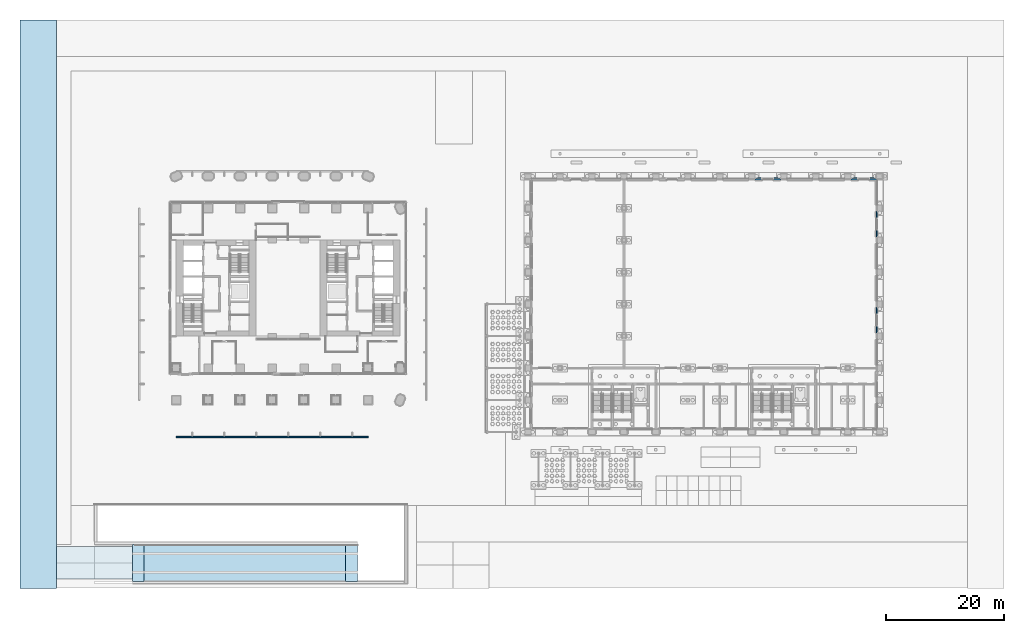
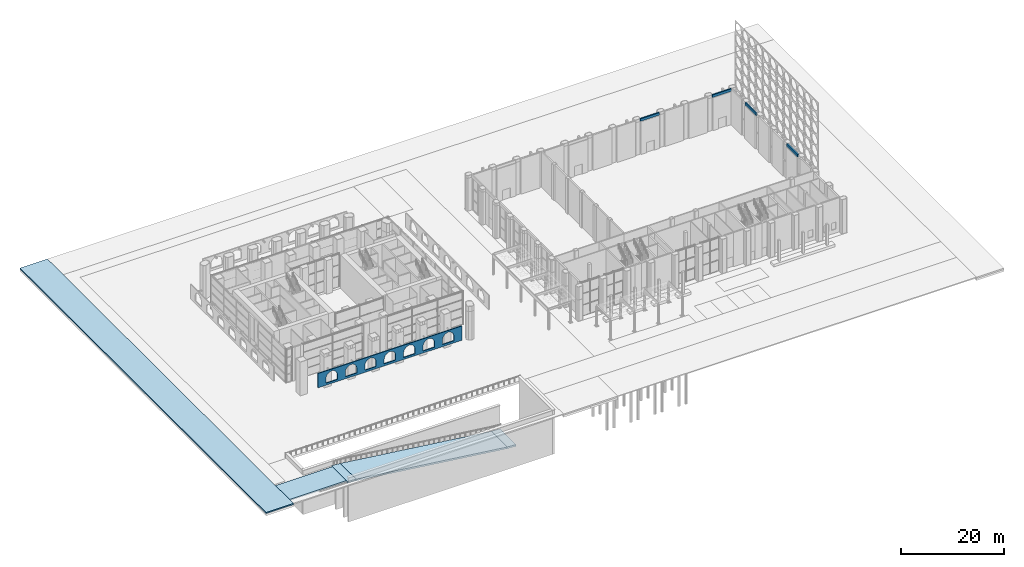
# One storey, part 17 of 54: 5 slabs, 4 beams, 1 plate.
"""IFC4 building model written with IfcOpenShell, lengths in metres."""

import ifcopenshell
import ifcopenshell.guid

model = None  # the IFC model being written
_history = None  # IfcOwnerHistory: only IFC2X3 demands one
_inside = {}  # id of a spatial element -> (the spatial element, [elements in it])
_under = {}  # id of a project, library or spatial element -> (it, [spatial elements below it])
_declared = {}  # id of a project -> (the project, [libraries it declares])
_typed = {}  # id of a type object -> (the type object, [elements of that type])
_made_of = {}  # id of a material, layer set ... -> (it, [elements and type objects made of it])


def new_model(schema):
    """Start an empty IFC model of exactly this schema.

    Asked for "IFC4X3", IfcOpenShell would pick the latest addendum, in which some entities
    have other attributes; the version numbers below select the first issue.
    IFC2X3 requires an IfcOwnerHistory on every rooted entity: one is made here for all.
    """
    global model, _history
    if schema == "IFC4X3":
        model = ifcopenshell.file(schema_version=(4, 3, 0, 0))
    else:
        model = ifcopenshell.file(schema=schema)
    _inside.clear()
    _under.clear()
    _declared.clear()
    _typed.clear()
    _made_of.clear()
    _history = None
    if model.schema == "IFC2X3":
        org = make("IfcOrganization", Name="unknown")
        user = make(
            "IfcPersonAndOrganization",
            ThePerson=make("IfcPerson", FamilyName="unknown"),
            TheOrganization=org,
        )
        app = make(
            "IfcApplication",
            ApplicationDeveloper=org,
            Version="unknown",
            ApplicationFullName="unknown",
            ApplicationIdentifier="unknown",
        )
        _history = make(
            "IfcOwnerHistory",
            OwningUser=user,
            OwningApplication=app,
            ChangeAction="ADDED",
            CreationDate=0,
        )
    return model


def make(cls, **values):
    """One entity of the class cls with the attributes given. An attribute that is None is left unset."""
    return model.create_entity(
        cls, **{name: value for name, value in values.items() if value is not None}
    )


def rooted(cls, **values):
    """An entity with a GlobalId (a new one), such as an element, a storey or a relation."""
    return make(cls, GlobalId=ifcopenshell.guid.new(), OwnerHistory=_history, **values)


def si_unit(unit_type, name, prefix=None):
    """IfcSIUnit, for example si_unit("LENGTHUNIT", "METRE", prefix="MILLI")."""
    return make("IfcSIUnit", UnitType=unit_type, Prefix=prefix, Name=name)


def assignment(units):
    """IfcUnitAssignment: the units of a project."""
    return None if units is None else make("IfcUnitAssignment", Units=units)


def point(xyz):
    """IfcCartesianPoint."""
    return None if xyz is None else make("IfcCartesianPoint", Coordinates=xyz)


def direction(xyz):
    """IfcDirection."""
    return None if xyz is None else make("IfcDirection", DirectionRatios=xyz)


def frame(location, z_axis=None, x_axis=None):
    """IfcAxis2Placement3D, a coordinate frame: its origin and axes. An axis left out is left unset."""
    return make(
        "IfcAxis2Placement3D",
        Location=point(location),
        Axis=direction(z_axis),
        RefDirection=direction(x_axis),
    )


def frame_2d(location, x_axis=None):
    """IfcAxis2Placement2D, a coordinate frame in the plane: its origin and x axis."""
    return make(
        "IfcAxis2Placement2D", Location=point(location), RefDirection=direction(x_axis)
    )


def origin():
    """The frame at (0, 0, 0) with its axes left unset."""
    return frame((0.0, 0.0, 0.0))


def origin_2d():
    """The frame at (0, 0) in the plane with its x axis left unset."""
    return frame_2d((0.0, 0.0))


def place(relative_to, where):
    """IfcLocalPlacement: puts the frame where relative to a parent placement (None: the world)."""
    return make(
        "IfcLocalPlacement", PlacementRelTo=relative_to, RelativePlacement=where
    )


def context(
    kind, dimensions, precision=None, world=None, true_north=None, identifier=None
):
    """IfcGeometricRepresentationContext, for example the 3D "Model" context."""
    return make(
        "IfcGeometricRepresentationContext",
        ContextIdentifier=identifier,
        ContextType=kind,
        CoordinateSpaceDimension=dimensions,
        Precision=precision,
        WorldCoordinateSystem=world,
        TrueNorth=true_north,
    )


def subcontext(parent, identifier, kind, view, scale=None):
    """IfcGeometricRepresentationSubContext, for example "Body" below "Model"."""
    return make(
        "IfcGeometricRepresentationSubContext",
        ContextIdentifier=identifier,
        ContextType=kind,
        ParentContext=parent,
        TargetScale=scale,
        TargetView=view,
    )


def project(units=None, contexts=None):
    """IfcProject with its units and contexts."""
    return rooted(
        "IfcProject",
        Name="project",
        RepresentationContexts=contexts,
        UnitsInContext=assignment(units),
    )


def spatial(cls, under=None, at=None, **own):
    """A site, building, storey or space (cls), placed at a placement, below another one or the project."""
    s = rooted(cls, ObjectPlacement=at, **own)
    if under is not None:
        _under.setdefault(under.id(), (under, []))[1].append(s)
    return s


def polyline(points):
    """IfcPolyline through the points."""
    return make("IfcPolyline", Points=[point(p) for p in points])


def profile(cls, at=None, kind="AREA", **sizes):
    """A parametric profile (cls). Its sizes go by their IFC names, for example OverallWidth=200.0."""
    return make(cls, ProfileType=kind, Position=at, **sizes)


def rectangle(**sizes):
    """IfcRectangleProfileDef."""
    return profile("IfcRectangleProfileDef", **sizes)


def outline(outer, holes=None, kind="AREA"):
    """IfcArbitraryClosedProfileDef: a profile drawn as a closed curve; with holes, ...WithVoids."""
    if holes is None:
        return make("IfcArbitraryClosedProfileDef", ProfileType=kind, OuterCurve=outer)
    return make(
        "IfcArbitraryProfileDefWithVoids",
        ProfileType=kind,
        OuterCurve=outer,
        InnerCurves=holes,
    )


def extrude(swept, where, along, depth):
    """IfcExtrudedAreaSolid: the profile swept, set in the frame where, extruded along a direction by depth."""
    return make(
        "IfcExtrudedAreaSolid",
        SweptArea=swept,
        Position=where,
        ExtrudedDirection=direction(along),
        Depth=depth,
    )


def shape(context_of_items, identifier, shape_type, items):
    """IfcShapeRepresentation: the items that make up one representation, for example the "Body"."""
    return make(
        "IfcShapeRepresentation",
        ContextOfItems=context_of_items,
        RepresentationIdentifier=identifier,
        RepresentationType=shape_type,
        Items=items,
    )


def material(Name=None, Category=None):
    """IfcMaterial."""
    return make("IfcMaterial", Name=Name, Category=Category)


def layer(
    of_material, thickness, ventilated=None, Name=None, Category=None, Priority=None
):
    """IfcMaterialLayer: one layer of a wall or slab, of a material (None: an air gap)."""
    return make(
        "IfcMaterialLayer",
        Material=of_material,
        LayerThickness=thickness,
        IsVentilated=ventilated,
        Name=Name,
        Category=Category,
        Priority=Priority,
    )


def layer_set(layers, Name=None):
    """IfcMaterialLayerSet."""
    return make("IfcMaterialLayerSet", MaterialLayers=layers, LayerSetName=Name)


def material_profile(
    of_material, cross_section, Name=None, Category=None, Priority=None
):
    """IfcMaterialProfile: a cross section and its material."""
    return make(
        "IfcMaterialProfile",
        Name=Name,
        Material=of_material,
        Profile=cross_section,
        Priority=Priority,
        Category=Category,
    )


def profile_set(profiles, Name=None, composite=None):
    """IfcMaterialProfileSet."""
    return make(
        "IfcMaterialProfileSet",
        Name=Name,
        MaterialProfiles=profiles,
        CompositeProfile=composite,
    )


def made_of(thing, what):
    """Note that an element or type object is made of a material, layer set ...; save() writes the relation."""
    if what is not None:
        _made_of.setdefault(what.id(), (what, []))[1].append(thing)
    return thing


def type_object(cls, material=None, **own):
    """A type object (cls), such as IfcWallType, which elements share."""
    return made_of(rooted(cls, **own), material)


def element(
    cls,
    number,
    at=None,
    inside=None,
    cuts=None,
    type_object=None,
    material=None,
    context=None,
    identifier="Body",
    shape_type=None,
    held_by="IfcProductDefinitionShape",
    body=None,
    shapes=None,
    **own,
):
    """One element of the class cls, such as IfcWall. Its Tag is "e" and its number.

    at: its placement. inside: the storey or other place that contains it. cuts: it is an
    opening in that element (IfcRelVoidsElement). A single representation is given by context,
    identifier, shape_type and body (its items); several are given by shapes. held_by: the class
    of the entity that holds the representations. save() writes the other relations.
    """
    e = rooted(cls, Tag="e%d" % number, ObjectPlacement=at, **own)
    if body is not None:
        shapes = [shape(context, identifier, shape_type, body)]
    if shapes is not None:
        e.Representation = make(held_by, Representations=shapes)
    if inside is not None:
        _inside.setdefault(inside.id(), (inside, []))[1].append(e)
    if cuts is not None:
        rooted(
            "IfcRelVoidsElement", RelatingBuildingElement=cuts, RelatedOpeningElement=e
        )
    if type_object is not None:
        _typed.setdefault(type_object.id(), (type_object, []))[1].append(e)
    return made_of(e, material)


def aggregate(whole, parts):
    """IfcRelAggregates: a whole, such as a stair, and the parts it consists of."""
    return rooted("IfcRelAggregates", RelatingObject=whole, RelatedObjects=parts)


def save(model, path):
    """Write the relations noted so far, then the file.

    IfcRelAggregates (storeys below a building ...), IfcRelContainedInSpatialStructure (elements
    in a storey), IfcRelDefinesByType, IfcRelAssociatesMaterial and IfcRelDeclares: one each for
    every whole, place, type object, material and project.
    """
    for whole, parts in _under.values():
        aggregate(whole, parts)
    for where, things in _inside.values():
        rooted(
            "IfcRelContainedInSpatialStructure",
            RelatedElements=things,
            RelatingStructure=where,
        )
    for kind, things in _typed.values():
        rooted("IfcRelDefinesByType", RelatedObjects=things, RelatingType=kind)
    for what, things in _made_of.values():
        rooted("IfcRelAssociatesMaterial", RelatedObjects=things, RelatingMaterial=what)
    for by, libraries in _declared.values():
        rooted("IfcRelDeclares", RelatingContext=by, RelatedDefinitions=libraries)
    model.write(path)


model = new_model("IFC4")

# Units and contexts
model_context = context("Model", 3, precision=1e-05, world=origin(), true_north=direction((0.0, 1.0)))
body_context = subcontext(model_context, "Body", "Model", "MODEL_VIEW")
ifc_project = project(units=[si_unit("LENGTHUNIT", "METRE"), si_unit("AREAUNIT", "SQUARE_METRE"), si_unit("VOLUMEUNIT", "CUBIC_METRE"), si_unit("PLANEANGLEUNIT", "RADIAN"), si_unit("MASSUNIT", "GRAM", prefix="KILO")], contexts=[model_context])

# Site, building, storey
site_placement = place(None, origin())
site = spatial("IfcSite", under=ifc_project, at=site_placement, CompositionType="ELEMENT")
building_placement = place(site_placement, origin())
building = spatial("IfcBuilding", under=site, at=building_placement, Name="Tabaq Tower and Sports Hall", CompositionType="ELEMENT")
storey_placement = place(building_placement, origin())
storey = spatial("IfcBuildingStorey", under=building, at=storey_placement, Name="L00", CompositionType="ELEMENT", Elevation=0.0)

# Beams
ifc_material_1 = material(Name="Concrete C50/60", Category="concrete")
ifc_material_profile = material_profile(ifc_material_1, rectangle(XDim=0.300048828125, YDim=0.60009765625, at=origin_2d()), Name="RC 300x600")
ifc_profile_set = profile_set([ifc_material_profile], Name="Concrete C50/60")
beam_type = type_object("IfcBeamType", Name="HALL SPANDREL BEAM RC 300x600", PredefinedType="BEAM", material=ifc_profile_set)
beam_1_placement = place(storey_placement, frame((103.14990234375, 42.75, 8.10009765625), z_axis=(1.0, 0.0, 0.0), x_axis=(0.0, 1.0, 0.0)))
element("IfcBeam", 1, at=beam_1_placement, inside=storey, type_object=beam_type, Name="Spandrel beam N07", PredefinedType="BEAM", context=body_context, shape_type="SweptSolid", body=[
    extrude(rectangle(XDim=0.300048828125, YDim=0.60009765625, at=origin_2d()), origin(), (0.0, 0.0, 1.0), 4.300048828125),
])
beam_2_placement = place(storey_placement, frame((119.35009765625, 42.75, 8.10009765625), z_axis=(1.0, 0.0, 0.0), x_axis=(0.0, 1.0, 0.0)))
element("IfcBeam", 2, at=beam_2_placement, inside=storey, type_object=beam_type, Name="Spandrel beam N10", PredefinedType="BEAM", context=body_context, shape_type="SweptSolid", body=[
    extrude(rectangle(XDim=0.300048828125, YDim=0.60009765625, at=origin_2d()), origin(), (0.0, 0.0, 1.0), 4.2998046875),
])
for number, where, z_axis, x_axis, name in (
    (3, (123.75, 16.75, 8.10009765625), (0.0, 1.0, 0.0), (-1.0, 0.0, 0.0), "Spandrel beam E03"),
    (4, (123.75, 32.949951171875, 8.10009765625), (0.0, 1.0, 0.0), (-1.0, 0.0, 0.0), "Spandrel beam E06"),
):
    element("IfcBeam", number, at=place(storey_placement, frame(where, z_axis=z_axis, x_axis=x_axis)), inside=storey, type_object=beam_type, Name=name, PredefinedType="BEAM", context=body_context, shape_type="SweptSolid", body=[
        extrude(rectangle(XDim=0.300048828125, YDim=0.60009765625, at=origin_2d()), origin(), (0.0, 0.0, 1.0), 4.300048828125),
    ])

# Slabs
ifc_material_2 = material(Name="Asphalt wearing course on crushed limestone base", Category="masonry")
ifc_layer_1 = layer(ifc_material_2, 0.300048828125)
ifc_layer_set_1 = layer_set([ifc_layer_1], Name="ASPHALT ROAD 300")
slab_type_1 = type_object("IfcSlabType", Name="ASPHALT ROAD 300", PredefinedType="USERDEFINED", material=ifc_layer_set_1)
slab_1_placement = place(storey_placement, frame((0.0, 0.0, -0.300048828125)))
element("IfcSlab", 5, at=slab_1_placement, inside=storey, type_object=slab_type_1, Name="West Street (fire appliance access)", ObjectType="PAVING", PredefinedType="USERDEFINED", context=body_context, shape_type="SweptSolid", body=[
    extrude(outline(polyline([(-20.97998046875, 69.580078125), (-20.97998046875, -26.3798828125), (-14.800048828125, -26.3798828125), (-14.800048828125, 69.580078125), (-20.97998046875, 69.580078125)])), origin(), (0.0, 0.0, 1.0), 0.300048828125),
])
slab_2_placement = place(storey_placement, frame((0.0, 0.0, -0.300048828125)))
element("IfcSlab", 6, at=slab_2_placement, inside=storey, type_object=slab_type_1, Name="Car Park Access Road", ObjectType="PAVING", PredefinedType="USERDEFINED", context=body_context, shape_type="SweptSolid", body=[
    extrude(outline(polyline([(-14.800048828125, -24.85009765625), (-2.0, -24.85009765625), (-2.0, -19.35009765625), (-14.800048828125, -19.35009765625), (-14.800048828125, -24.85009765625)])), origin(), (0.0, 0.0, 1.0), 0.300048828125),
])
ifc_material_3 = material(Name="Concrete C40/50", Category="concrete")
ifc_layer_2 = layer(ifc_material_3, 0.39990234375)
ifc_layer_set_2 = layer_set([ifc_layer_2], Name="Car Ramp Slab 400")
slab_type_2 = type_object("IfcSlabType", Name="Car Ramp Slab 400", PredefinedType="USERDEFINED", material=ifc_layer_set_2)
slab_3_placement = place(storey_placement, frame((-2.0, -25.199951171875, 0.0), z_axis=(0.062378286155, 0.0, 0.998052578483), x_axis=(0.998052578483, 0.0, -0.062378286155)))
element("IfcSlab", 7, at=slab_3_placement, inside=storey, type_object=slab_type_2, Name="Car Ramp R1 Slab 1", ObjectType="RAMP SLAB", PredefinedType="USERDEFINED", context=body_context, shape_type="SweptSolid", body=[
    extrude(outline(polyline([(0.0, 0.0), (2.003902442735175, 0.0), (2.003902442735175, 6.199951171875), (0.0, 6.199951171875), (0.0, 0.0)])), origin(), (0.0, 0.0, -1.0), 0.39990234375),
])
slab_4_placement = place(storey_placement, frame((0.0, -25.199951171875, -0.125), z_axis=(0.124034734589, 0.0, 0.992277876714), x_axis=(0.992277876714, 0.0, -0.124034734589)))
element("IfcSlab", 8, at=slab_4_placement, inside=storey, type_object=slab_type_2, Name="Car Ramp R1 Slab 2", ObjectType="RAMP SLAB", PredefinedType="USERDEFINED", context=body_context, shape_type="SweptSolid", body=[
    extrude(outline(polyline([(0.0, 0.0), (34.26459543026884, 0.0), (34.26459543026884, 6.199951171875), (0.0, 6.199951171875), (0.0, 0.0)])), origin(), (0.0, 0.0, -1.0), 0.39990234375),
])
slab_5_placement = place(storey_placement, frame((34.0, -25.199951171875, -4.375), z_axis=(0.062378286155, 0.0, 0.998052578483), x_axis=(0.998052578483, 0.0, -0.062378286155)))
element("IfcSlab", 9, at=slab_5_placement, inside=storey, type_object=slab_type_2, Name="Car Ramp R1 Slab 3", ObjectType="RAMP SLAB", PredefinedType="USERDEFINED", context=body_context, shape_type="SweptSolid", body=[
    extrude(outline(polyline([(0.0, 0.0), (2.003902442735175, 0.0), (2.003902442735175, 6.199951171875), (0.0, 6.199951171875), (0.0, 0.0)])), origin(), (0.0, 0.0, -1.0), 0.39990234375),
])

# Plate
ifc_material_4 = material(Name="White precast concrete C60/75 pierced screen", Category="concrete")
ifc_layer_3 = layer(ifc_material_4, 0.199951171875)
ifc_layer_set_3 = layer_set([ifc_layer_3], Name="White precast concrete C60/75 arcade screen 200")
plate_type = type_object("IfcPlateType", Name="White precast concrete C60/75 arcade screen 200", PredefinedType="USERDEFINED", material=ifc_layer_set_3)
plate_placement = place(storey_placement, frame((5.39990234375, -0.85009765625, 5.0), z_axis=(0.0, 0.0, 1.0), x_axis=(1.0, 0.0, 0.0)))
element("IfcPlate", 10, at=plate_placement, inside=storey, type_object=plate_type, Name="Arcade screen S", ObjectType="SCREEN", PredefinedType="USERDEFINED", context=body_context, shape_type="SweptSolid", body=[
    extrude(outline(polyline([(0.0, 0.0), (32.400146484375, 0.0), (32.400146484375, 3.39990234375), (0.0, 3.39990234375), (0.0, 0.0)]), holes=[polyline([(1.800048828125, 0.5), (4.371337890625, 0.5), (4.371337890625, 1.60009765625), (4.34716796875, 1.859375), (4.275634765625, 2.10986328125), (4.158935546875, 2.343017578125), (4.001220703125, 2.55029296875), (3.807861328125, 2.72509765625), (3.585693359375, 2.861328125), (3.34228515625, 2.953857421875), (3.085693359375, 3.0), (2.829345703125, 2.953857421875), (2.585693359375, 2.861328125), (2.363525390625, 2.72509765625), (2.170166015625, 2.55029296875), (2.012451171875, 2.343017578125), (1.895751953125, 2.10986328125), (1.82421875, 1.859375), (1.800048828125, 1.60009765625), (1.800048828125, 0.5)]), polyline([(6.17138671875, 0.5), (8.742919921875, 0.5), (8.742919921875, 1.60009765625), (8.71875, 1.859375), (8.64697265625, 2.10986328125), (8.5302734375, 2.343017578125), (8.37255859375, 2.55029296875), (8.179443359375, 2.72509765625), (7.95703125, 2.861328125), (7.713623046875, 2.953857421875), (7.45703125, 3.0), (7.20068359375, 2.953857421875), (6.95703125, 2.861328125), (6.73486328125, 2.72509765625), (6.54150390625, 2.55029296875), (6.384033203125, 2.343017578125), (6.267333984375, 2.10986328125), (6.195556640625, 1.859375), (6.17138671875, 1.60009765625), (6.17138671875, 0.5)]), polyline([(10.54296875, 0.5), (13.1142578125, 0.5), (13.1142578125, 1.60009765625), (13.090087890625, 1.859375), (13.0185546875, 2.10986328125), (12.90185546875, 2.343017578125), (12.744140625, 2.55029296875), (12.55078125, 2.72509765625), (12.32861328125, 2.861328125), (12.0849609375, 2.953857421875), (11.82861328125, 3.0), (11.572021484375, 2.953857421875), (11.32861328125, 2.861328125), (11.1064453125, 2.72509765625), (10.9130859375, 2.55029296875), (10.75537109375, 2.343017578125), (10.638671875, 2.10986328125), (10.567138671875, 1.859375), (10.54296875, 1.60009765625), (10.54296875, 0.5)]), polyline([(14.914306640625, 0.5), (17.485595703125, 0.5), (17.485595703125, 1.60009765625), (17.461669921875, 1.859375), (17.389892578125, 2.10986328125), (17.273193359375, 2.343017578125), (17.115478515625, 2.55029296875), (16.922119140625, 2.72509765625), (16.699951171875, 2.861328125), (16.45654296875, 2.953857421875), (16.199951171875, 3.0), (15.943603515625, 2.953857421875), (15.699951171875, 2.861328125), (15.477783203125, 2.72509765625), (15.284423828125, 2.55029296875), (15.126708984375, 2.343017578125), (15.010009765625, 2.10986328125), (14.9384765625, 1.859375), (14.914306640625, 1.60009765625), (14.914306640625, 0.5)]), polyline([(19.28564453125, 0.5), (21.857177734375, 0.5), (21.857177734375, 1.60009765625), (21.8330078125, 1.859375), (21.76123046875, 2.10986328125), (21.64453125, 2.343017578125), (21.487060546875, 2.55029296875), (21.293701171875, 2.72509765625), (21.071533203125, 2.861328125), (20.827880859375, 2.953857421875), (20.571533203125, 3.0), (20.31494140625, 2.953857421875), (20.071533203125, 2.861328125), (19.84912109375, 2.72509765625), (19.656005859375, 2.55029296875), (19.498291015625, 2.343017578125), (19.381591796875, 2.10986328125), (19.309814453125, 1.859375), (19.28564453125, 1.60009765625), (19.28564453125, 0.5)]), polyline([(23.6572265625, 0.5), (26.228515625, 0.5), (26.228515625, 1.60009765625), (26.204345703125, 1.859375), (26.1328125, 2.10986328125), (26.01611328125, 2.343017578125), (25.8583984375, 2.55029296875), (25.6650390625, 2.72509765625), (25.44287109375, 2.861328125), (25.19921875, 2.953857421875), (24.94287109375, 3.0), (24.686279296875, 2.953857421875), (24.44287109375, 2.861328125), (24.220703125, 2.72509765625), (24.02734375, 2.55029296875), (23.86962890625, 2.343017578125), (23.7529296875, 2.10986328125), (23.681396484375, 1.859375), (23.6572265625, 1.60009765625), (23.6572265625, 0.5)]), polyline([(28.028564453125, 0.5), (30.60009765625, 0.5), (30.60009765625, 1.60009765625), (30.575927734375, 1.859375), (30.504150390625, 2.10986328125), (30.387451171875, 2.343017578125), (30.229736328125, 2.55029296875), (30.03662109375, 2.72509765625), (29.814208984375, 2.861328125), (29.57080078125, 2.953857421875), (29.314208984375, 3.0), (29.057861328125, 2.953857421875), (28.814208984375, 2.861328125), (28.592041015625, 2.72509765625), (28.398681640625, 2.55029296875), (28.240966796875, 2.343017578125), (28.124267578125, 2.10986328125), (28.052734375, 1.859375), (28.028564453125, 1.60009765625), (28.028564453125, 0.5)])]), frame((0.0, 0.10009765625, 0.0), z_axis=(0.0, -1.0, 0.0), x_axis=(1.0, 0.0, 0.0)), (0.0, 0.0, 1.0), 0.199951171875),
])

save(model, "model.ifc")
